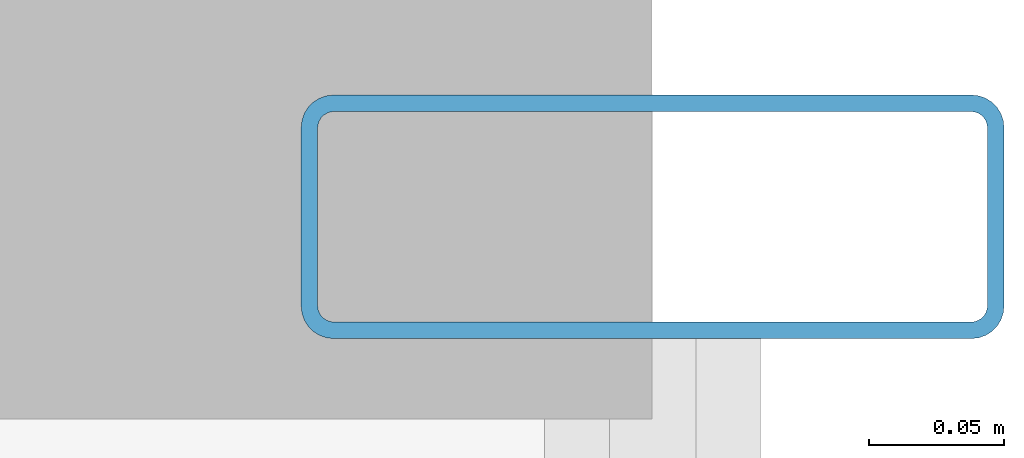
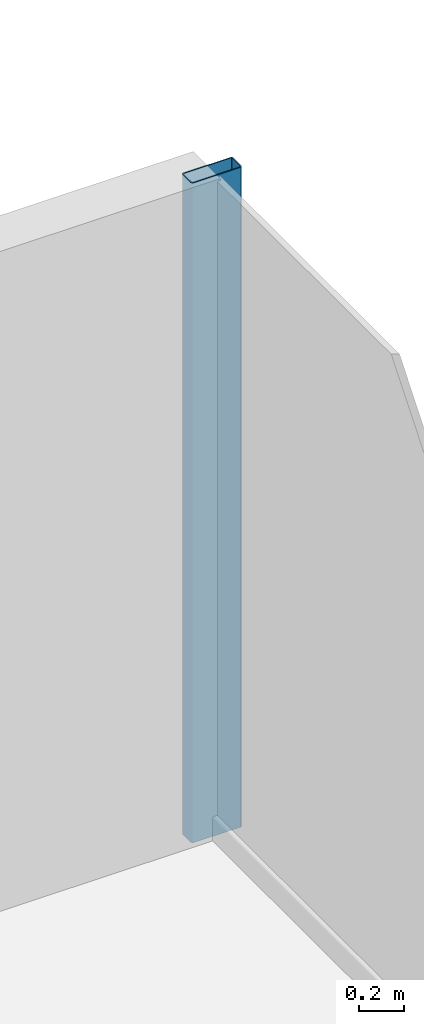
# One storey, part 18 of 26: 1 member, 1 element without a shape of its own.
"""IFC4 building model written with IfcOpenShell, lengths in metres."""

from ifc_helpers import new_model, si_unit, direction, frame, origin, origin_2d, place, context, subcontext, project, spatial, hollow_rectangle, extrude, source, transform, mapped, material, layer, layer_set, material_profile, profile_set, type_object, element, aggregate, save


model = new_model("IFC4")

# Units and contexts
model_context = context("Model", 3, precision=1e-05, world=origin(), true_north=direction((0.0, 1.0)))
body_context = subcontext(model_context, "Body", "Model", "MODEL_VIEW")
ifc_project = project(units=[si_unit("LENGTHUNIT", "METRE"), si_unit("AREAUNIT", "SQUARE_METRE"), si_unit("VOLUMEUNIT", "CUBIC_METRE"), si_unit("PLANEANGLEUNIT", "RADIAN"), si_unit("MASSUNIT", "GRAM", prefix="KILO")], contexts=[model_context])

# Site, building, storey
site_placement = place(None, origin())
site = spatial("IfcSite", under=ifc_project, at=site_placement, CompositionType="ELEMENT")
building_placement = place(site_placement, origin())
building = spatial("IfcBuilding", under=site, at=building_placement, Name="Nefas-Gora Pilgrimage Tower", CompositionType="ELEMENT")
storey_placement = place(building_placement, frame((0.0, 0.0, 40.60009765625)))
storey = spatial("IfcBuildingStorey", under=building, at=storey_placement, Name="L08", CompositionType="ELEMENT", Elevation=40.60009765625)

# Curtain wall, member
ifc_material_1 = material(Name="Dark ceramic-fritted solar-control aluminium-glass curtain wall", Category="aluminium")
ifc_layer = layer(ifc_material_1, 0.219970703125)
ifc_layer_set = layer_set([ifc_layer], Name="Dark ceramic-fritted solar-control aluminium-glass curtain wall")
curtain_wall_type = type_object("IfcCurtainWallType", Name="CW-SYS-2", PredefinedType="NOTDEFINED", material=ifc_layer_set)
curtain_wall_placement = place(storey_placement, origin())
curtain_wall = element("IfcCurtainWall", 1, at=curtain_wall_placement, inside=storey, type_object=curtain_wall_type, Name="L08 Unitised Curtain Wall CW2", PredefinedType="NOTDEFINED")
ifc_material_2 = material(Name="Anodised architectural aluminium", Category="aluminium")
ifc_material_profile = material_profile(ifc_material_2, hollow_rectangle(XDim=0.090087890625, YDim=0.260009765625, WallThickness=0.006103515625, InnerFilletRadius=0.006103515625, OuterFilletRadius=0.011962890625, at=origin_2d()), Name="ALU MULLION 90x260")
ifc_profile_set = profile_set([ifc_material_profile], Name="Anodised architectural aluminium")
member_type = type_object("IfcMemberType", Name="CWM-MUL-2", PredefinedType="MULLION", material=ifc_profile_set)
shared_shape = source(origin(), body_context, "Body", "SweptSolid", [
    extrude(hollow_rectangle(XDim=0.090087890625, YDim=0.260009765625, WallThickness=0.006103515625, InnerFilletRadius=0.006103515625, OuterFilletRadius=0.011962890625, at=origin_2d()), origin(), (0.0, 0.0, 1.0), 3.5498046875),
])
member_placement = place(storey_placement, frame((34.27001953125, 17.574951171875, 0.0), z_axis=(0.0, 0.0, 1.0), x_axis=(0.0, 1.0, 0.0)))
member = element("IfcMember", 2, at=member_placement, type_object=member_type, Name="CW2 Mullion 2", PredefinedType="MULLION", context=body_context, shape_type="MappedRepresentation", body=[
    mapped(shared_shape, transform((0.0, 0.0, 0.0), x_axis=(1.0, 0.0, 0.0), y_axis=(0.0, 1.0, 0.0), z_axis=(0.0, 0.0, 1.0), scale=1.0)),
])
aggregate(curtain_wall, [member])

save(model, "model.ifc")
